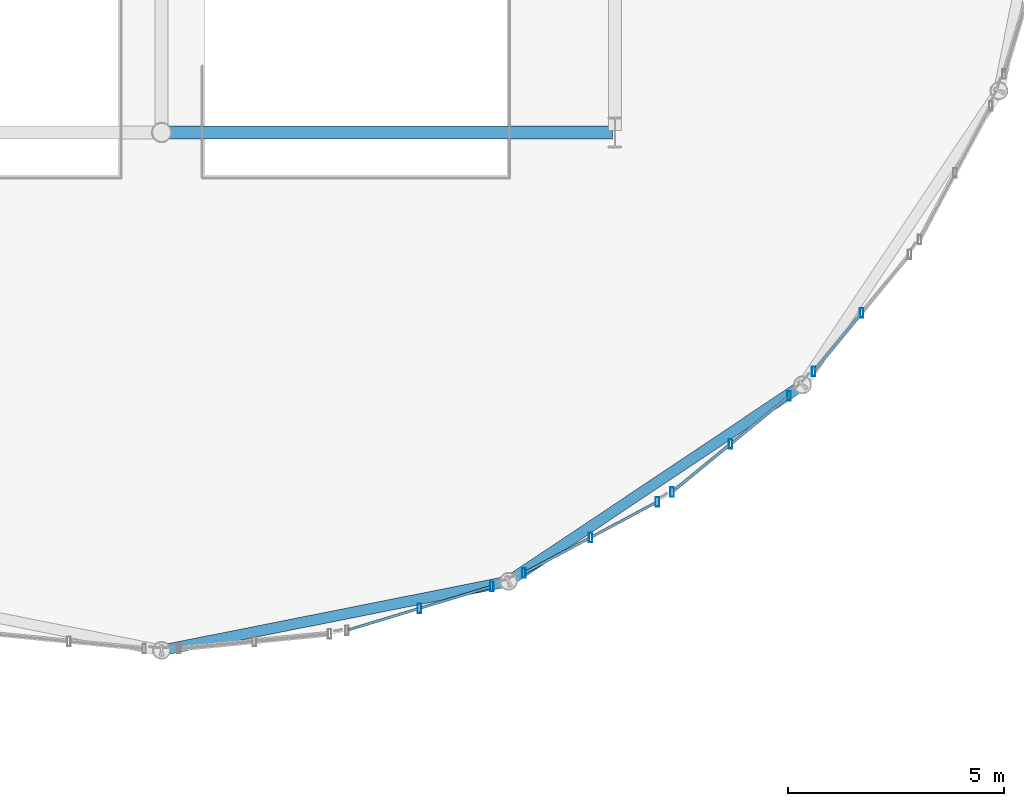
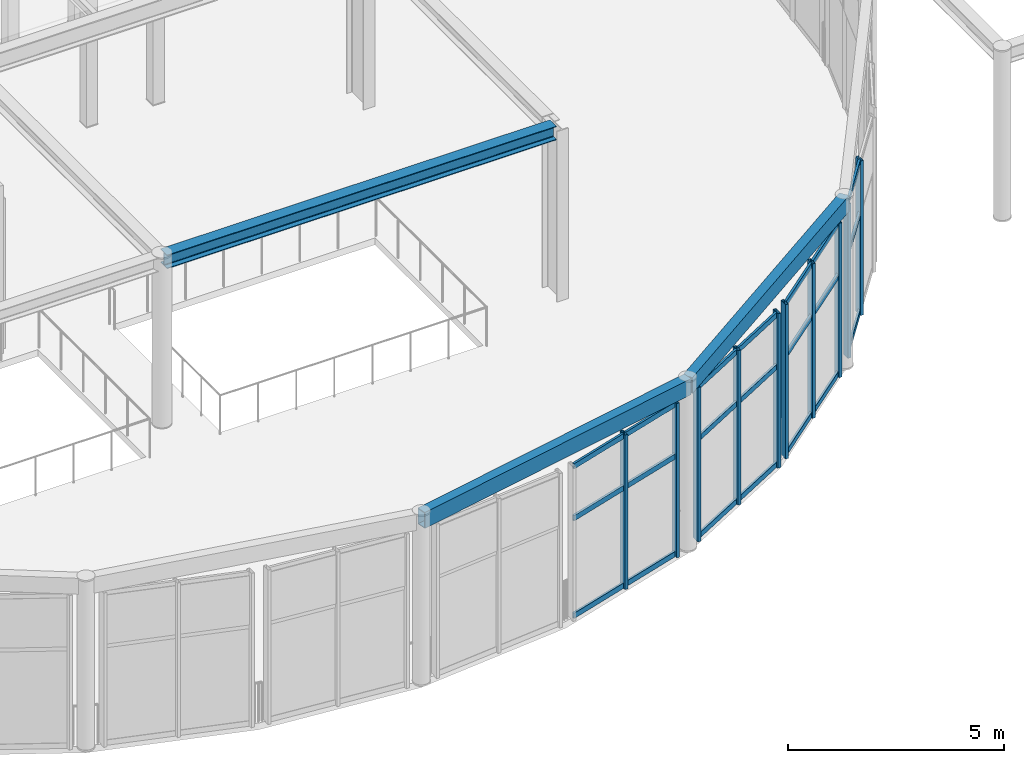
# One storey, part 31 of 143: 31 members, 3 beams, 4 elements without a shape of their own.
"""IFC4 building model written with IfcOpenShell, lengths in metres."""

from ifc_helpers import new_model, si_unit, direction, frame, origin, origin_2d, place, context, subcontext, project, spatial, hollow_rectangle, i_section, extrude, material, layer, layer_set, material_profile, profile_set, type_object, element, aggregate, save


model = new_model("IFC4")

# Units and contexts
model_context = context("Model", 3, precision=1e-05, world=origin(), true_north=direction((0.0, 1.0)))
body_context = subcontext(model_context, "Body", "Model", "MODEL_VIEW")
ifc_project = project(units=[si_unit("LENGTHUNIT", "METRE"), si_unit("AREAUNIT", "SQUARE_METRE"), si_unit("VOLUMEUNIT", "CUBIC_METRE"), si_unit("PLANEANGLEUNIT", "RADIAN"), si_unit("MASSUNIT", "GRAM", prefix="KILO")], contexts=[model_context])

# Site, building, storey
site_placement = place(None, origin())
site = spatial("IfcSite", under=ifc_project, at=site_placement, CompositionType="ELEMENT")
building_placement = place(site_placement, origin())
building = spatial("IfcBuilding", under=site, at=building_placement, Name="Marlcrest Central Station", CompositionType="ELEMENT")
storey_placement = place(building_placement, frame((0.0, 0.0, 4.800048828125)))
storey = spatial("IfcBuildingStorey", under=building, at=storey_placement, Name="L01", CompositionType="ELEMENT", Elevation=4.800048828125)

# Beam
ifc_material_1 = material(Name="Steel S355", Category="steel")
ifc_material_profile_1 = material_profile(ifc_material_1, i_section(OverallWidth=0.300048828125, OverallDepth=0.389892578125, WebThickness=0.010986328125, FlangeThickness=0.01904296875, FilletRadius=0.027099609375, at=origin_2d()), Name="HEA 400")
ifc_profile_set_1 = profile_set([ifc_material_profile_1], Name="Steel S355")
beam_type_1 = type_object("IfcBeamType", Name="BM-08", PredefinedType="BEAM", material=ifc_profile_set_1)
beam_1_placement = place(storey_placement, frame((108.050048828125, 13.5, 4.619873046875), z_axis=(1.0, 0.0, 0.0), x_axis=(0.0, 1.0, 0.0)))
element("IfcBeam", 1, at=beam_1_placement, inside=storey, type_object=beam_type_1, Name="bm-BM-08-L01-01366", PredefinedType="BEAM", context=body_context, shape_type="SweptSolid", body=[
    extrude(i_section(OverallWidth=0.300048828125, OverallDepth=0.389892578125, WebThickness=0.010986328125, FlangeThickness=0.01904296875, FilletRadius=0.027099609375, at=origin_2d()), origin(), (0.0, 0.0, 1.0), 10.39990234375),
])

# Curtain wall, members
ifc_material_2 = material(Name="Anodised aluminium and hurricane laminated glass", Category="aluminium")
ifc_layer = layer(ifc_material_2, 0.219970703125, Name="CW-U1")
ifc_layer_set = layer_set([ifc_layer], Name="Anodised aluminium and hurricane laminated glass")
curtain_wall_type = type_object("IfcCurtainWallType", Name="CW-U1", PredefinedType="USERDEFINED", material=ifc_layer_set)
curtain_wall_1_placement = place(storey_placement, origin())
curtain_wall_1 = element("IfcCurtainWall", 2, at=curtain_wall_1_placement, inside=storey, type_object=curtain_wall_type, Name="cw-L01-0018", ObjectType="UNITISED_CURTAIN_WALL", PredefinedType="USERDEFINED")
ifc_material_3 = material(Name="Anodised aluminium 6063-T6", Category="aluminium")
ifc_material_profile_2 = material_profile(ifc_material_3, hollow_rectangle(XDim=0.080078125, YDim=0.219970703125, WallThickness=0.006103515625, at=origin_2d()), Name="AA-RHS 220x80x6")
ifc_profile_set_2 = profile_set([ifc_material_profile_2], Name="Anodised aluminium 6063-T6")
member_type_1 = type_object("IfcMemberType", Name="ML-01", PredefinedType="MULLION", material=ifc_profile_set_2)
member_1_placement = place(storey_placement, frame((115.6494140625, 2.981689453125, -0.030029296875), z_axis=(0.0, 0.0, 1.0), x_axis=(1.0, 0.0, 0.0)))
member_1 = element("IfcMember", 3, at=member_1_placement, type_object=member_type_1, Name="cw-L01-0018-ml-0", PredefinedType="MULLION", context=body_context, shape_type="SweptSolid", body=[
    extrude(hollow_rectangle(XDim=0.080078125, YDim=0.219970703125, WallThickness=0.006103515625, at=origin_2d()), origin(), (0.0, 0.0, 1.0), 4.35986328125),
])
member_2_placement = place(storey_placement, frame((113.9716796875, 2.47265625, -0.030029296875), z_axis=(0.0, 0.0, 1.0), x_axis=(1.0, 0.0, 0.0)))
member_2 = element("IfcMember", 4, at=member_2_placement, type_object=member_type_1, Name="cw-L01-0018-ml-1", PredefinedType="MULLION", context=body_context, shape_type="SweptSolid", body=[
    extrude(hollow_rectangle(XDim=0.080078125, YDim=0.219970703125, WallThickness=0.006103515625, at=origin_2d()), origin(), (0.0, 0.0, 1.0), 4.35986328125),
])

curtain_wall_2_placement = place(storey_placement, origin())
curtain_wall_2 = element("IfcCurtainWall", 5, at=curtain_wall_2_placement, inside=storey, type_object=curtain_wall_type, Name="cw-L01-0019", ObjectType="UNITISED_CURTAIN_WALL", PredefinedType="USERDEFINED")
member_3_placement = place(storey_placement, frame((119.485595703125, 4.94189453125, -0.030029296875), z_axis=(0.0, 0.0, 1.0), x_axis=(1.0, 0.0, 0.0)))
member_3 = element("IfcMember", 6, at=member_3_placement, type_object=member_type_1, Name="cw-L01-0019-ml-0", PredefinedType="MULLION", context=body_context, shape_type="SweptSolid", body=[
    extrude(hollow_rectangle(XDim=0.080078125, YDim=0.219970703125, WallThickness=0.006103515625, at=origin_2d()), origin(), (0.0, 0.0, 1.0), 4.35986328125),
])
member_4_placement = place(storey_placement, frame((117.93896484375, 4.11572265625, -0.030029296875), z_axis=(0.0, 0.0, 1.0), x_axis=(1.0, 0.0, 0.0)))
member_4 = element("IfcMember", 7, at=member_4_placement, type_object=member_type_1, Name="cw-L01-0019-ml-1", PredefinedType="MULLION", context=body_context, shape_type="SweptSolid", body=[
    extrude(hollow_rectangle(XDim=0.080078125, YDim=0.219970703125, WallThickness=0.006103515625, at=origin_2d()), origin(), (0.0, 0.0, 1.0), 4.35986328125),
])
member_5_placement = place(storey_placement, frame((116.392333984375, 3.289306640625, -0.030029296875), z_axis=(0.0, 0.0, 1.0), x_axis=(1.0, 0.0, 0.0)))
member_5 = element("IfcMember", 8, at=member_5_placement, type_object=member_type_1, Name="cw-L01-0019-ml-2", PredefinedType="MULLION", context=body_context, shape_type="SweptSolid", body=[
    extrude(hollow_rectangle(XDim=0.080078125, YDim=0.219970703125, WallThickness=0.006103515625, at=origin_2d()), origin(), (0.0, 0.0, 1.0), 4.35986328125),
])

curtain_wall_3_placement = place(storey_placement, origin())
curtain_wall_3 = element("IfcCurtainWall", 9, at=curtain_wall_3_placement, inside=storey, type_object=curtain_wall_type, Name="cw-L01-0020", ObjectType="UNITISED_CURTAIN_WALL", PredefinedType="USERDEFINED")
member_6_placement = place(storey_placement, frame((122.53662109375, 7.39453125, -0.030029296875), z_axis=(0.0, 0.0, 1.0), x_axis=(1.0, 0.0, 0.0)))
member_6 = element("IfcMember", 10, at=member_6_placement, type_object=member_type_1, Name="cw-L01-0020-ml-0", PredefinedType="MULLION", context=body_context, shape_type="SweptSolid", body=[
    extrude(hollow_rectangle(XDim=0.080078125, YDim=0.219970703125, WallThickness=0.006103515625, at=origin_2d()), origin(), (0.0, 0.0, 1.0), 4.35986328125),
])
member_7_placement = place(storey_placement, frame((121.181396484375, 6.281982421875, -0.030029296875), z_axis=(0.0, 0.0, 1.0), x_axis=(1.0, 0.0, 0.0)))
member_7 = element("IfcMember", 11, at=member_7_placement, type_object=member_type_1, Name="cw-L01-0020-ml-1", PredefinedType="MULLION", context=body_context, shape_type="SweptSolid", body=[
    extrude(hollow_rectangle(XDim=0.080078125, YDim=0.219970703125, WallThickness=0.006103515625, at=origin_2d()), origin(), (0.0, 0.0, 1.0), 4.35986328125),
])
member_8_placement = place(storey_placement, frame((119.826171875, 5.169677734375, -0.030029296875), z_axis=(0.0, 0.0, 1.0), x_axis=(1.0, 0.0, 0.0)))
member_8 = element("IfcMember", 12, at=member_8_placement, type_object=member_type_1, Name="cw-L01-0020-ml-2", PredefinedType="MULLION", context=body_context, shape_type="SweptSolid", body=[
    extrude(hollow_rectangle(XDim=0.080078125, YDim=0.219970703125, WallThickness=0.006103515625, at=origin_2d()), origin(), (0.0, 0.0, 1.0), 4.35986328125),
])

curtain_wall_4_placement = place(storey_placement, origin())
curtain_wall_4 = element("IfcCurtainWall", 13, at=curtain_wall_4_placement, inside=storey, type_object=curtain_wall_type, Name="cw-L01-0021", ObjectType="UNITISED_CURTAIN_WALL", PredefinedType="USERDEFINED")
member_9_placement = place(storey_placement, frame((124.218017578125, 9.318603515625, -0.030029296875), z_axis=(0.0, 0.0, 1.0), x_axis=(1.0, 0.0, 0.0)))
member_9 = element("IfcMember", 14, at=member_9_placement, type_object=member_type_1, Name="cw-L01-0021-ml-1", PredefinedType="MULLION", context=body_context, shape_type="SweptSolid", body=[
    extrude(hollow_rectangle(XDim=0.080078125, YDim=0.219970703125, WallThickness=0.006103515625, at=origin_2d()), origin(), (0.0, 0.0, 1.0), 4.35986328125),
])
member_10_placement = place(storey_placement, frame((123.10546875, 7.96337890625, -0.030029296875), z_axis=(0.0, 0.0, 1.0), x_axis=(1.0, 0.0, 0.0)))
member_10 = element("IfcMember", 15, at=member_10_placement, type_object=member_type_1, Name="cw-L01-0021-ml-2", PredefinedType="MULLION", context=body_context, shape_type="SweptSolid", body=[
    extrude(hollow_rectangle(XDim=0.080078125, YDim=0.219970703125, WallThickness=0.006103515625, at=origin_2d()), origin(), (0.0, 0.0, 1.0), 4.35986328125),
])

# Beams
ifc_material_profile_3 = material_profile(ifc_material_1, hollow_rectangle(XDim=0.25, YDim=0.449951171875, WallThickness=0.01611328125, at=origin_2d()), Name="RHS 450x250x16")
ifc_profile_set_3 = profile_set([ifc_material_profile_3], Name="Steel S355")
beam_type_2 = type_object("IfcBeamType", Name="SP-02", PredefinedType="SPANDREL", material=ifc_profile_set_3)
beam_2_placement = place(storey_placement, frame((108.0, 1.5, 4.58984375), z_axis=(0.980769316421, 0.19517056122, 0.0), x_axis=(-0.19517056122, 0.980769316421, 0.0)))
element("IfcBeam", 16, at=beam_2_placement, inside=storey, type_object=beam_type_2, Name="bm-SP-02-L01-01361", PredefinedType="SPANDREL", context=body_context, shape_type="SweptSolid", body=[
    extrude(hollow_rectangle(XDim=0.25, YDim=0.449951171875, WallThickness=0.01611328125, at=origin_2d()), origin(), (0.0, 0.0, 1.0), 8.193359375),
])
beam_3_placement = place(storey_placement, frame((116.035888671875, 3.09912109375, 4.58984375), z_axis=(0.831508991937, 0.55551129271, 0.0), x_axis=(-0.55551129271, 0.831508991937, 0.0)))
element("IfcBeam", 17, at=beam_3_placement, inside=storey, type_object=beam_type_2, Name="bm-SP-02-L01-01362", PredefinedType="SPANDREL", context=body_context, shape_type="SweptSolid", body=[
    extrude(hollow_rectangle(XDim=0.25, YDim=0.449951171875, WallThickness=0.01611328125, at=origin_2d()), origin(), (0.0, 0.0, 1.0), 8.19384765625),
])

# Member
ifc_material_profile_4 = material_profile(ifc_material_3, hollow_rectangle(XDim=0.06005859375, YDim=0.14990234375, WallThickness=0.00390625, at=origin_2d()), Name="AA-RHS 150x60x4")
ifc_profile_set_4 = profile_set([ifc_material_profile_4], Name="Anodised aluminium 6063-T6")
member_type_2 = type_object("IfcMemberType", Name="TR-01", PredefinedType="USERDEFINED", material=ifc_profile_set_4)
member_11_placement = place(storey_placement, frame((115.613037109375, 2.970703125, 0.0400390625), z_axis=(-0.95694846695, -0.29025787087, 0.0), x_axis=(0.29025787087, -0.95694846695, 0.0)))
member_11 = element("IfcMember", 18, at=member_11_placement, type_object=member_type_2, Name="cw-L01-0018-tr-0-sill", ObjectType="TRANSOM", PredefinedType="USERDEFINED", context=body_context, shape_type="SweptSolid", body=[
    extrude(hollow_rectangle(XDim=0.06005859375, YDim=0.14990234375, WallThickness=0.00390625, at=origin_2d()), origin(), (0.0, 0.0, 1.0), 1.67724609375),
])

member_12_placement = place(storey_placement, frame((115.613037109375, 2.970703125, 2.794921875), z_axis=(-0.95694846695, -0.29025787087, 0.0), x_axis=(0.29025787087, -0.95694846695, 0.0)))
member_12 = element("IfcMember", 19, at=member_12_placement, type_object=member_type_2, Name="cw-L01-0018-tr-0-mid", ObjectType="TRANSOM", PredefinedType="USERDEFINED", context=body_context, shape_type="SweptSolid", body=[
    extrude(hollow_rectangle(XDim=0.06005859375, YDim=0.14990234375, WallThickness=0.00390625, at=origin_2d()), origin(), (0.0, 0.0, 1.0), 1.67724609375),
])

member_13_placement = place(storey_placement, frame((115.613037109375, 2.970703125, 4.260009765625), z_axis=(-0.95694846695, -0.29025787087, 0.0), x_axis=(0.29025787087, -0.95694846695, 0.0)))
member_13 = element("IfcMember", 20, at=member_13_placement, type_object=member_type_2, Name="cw-L01-0018-tr-0-head", ObjectType="TRANSOM", PredefinedType="USERDEFINED", context=body_context, shape_type="SweptSolid", body=[
    extrude(hollow_rectangle(XDim=0.06005859375, YDim=0.14990234375, WallThickness=0.00390625, at=origin_2d()), origin(), (0.0, 0.0, 1.0), 1.67724609375),
])

member_14_placement = place(storey_placement, frame((113.935302734375, 2.461669921875, 0.0400390625), z_axis=(-0.95694846695, -0.29025787087, 0.0), x_axis=(0.29025787087, -0.95694846695, 0.0)))
member_14 = element("IfcMember", 21, at=member_14_placement, type_object=member_type_2, Name="cw-L01-0018-tr-1-sill", ObjectType="TRANSOM", PredefinedType="USERDEFINED", context=body_context, shape_type="SweptSolid", body=[
    extrude(hollow_rectangle(XDim=0.06005859375, YDim=0.14990234375, WallThickness=0.00390625, at=origin_2d()), origin(), (0.0, 0.0, 1.0), 1.67724609375),
])

member_15_placement = place(storey_placement, frame((113.935302734375, 2.461669921875, 2.794921875), z_axis=(-0.95694846695, -0.29025787087, 0.0), x_axis=(0.29025787087, -0.95694846695, 0.0)))
member_15 = element("IfcMember", 22, at=member_15_placement, type_object=member_type_2, Name="cw-L01-0018-tr-1-mid", ObjectType="TRANSOM", PredefinedType="USERDEFINED", context=body_context, shape_type="SweptSolid", body=[
    extrude(hollow_rectangle(XDim=0.06005859375, YDim=0.14990234375, WallThickness=0.00390625, at=origin_2d()), origin(), (0.0, 0.0, 1.0), 1.67724609375),
])

member_16_placement = place(storey_placement, frame((113.935302734375, 2.461669921875, 4.260009765625), z_axis=(-0.95694846695, -0.29025787087, 0.0), x_axis=(0.29025787087, -0.95694846695, 0.0)))
member_16 = element("IfcMember", 23, at=member_16_placement, type_object=member_type_2, Name="cw-L01-0018-tr-1-head", ObjectType="TRANSOM", PredefinedType="USERDEFINED", context=body_context, shape_type="SweptSolid", body=[
    extrude(hollow_rectangle(XDim=0.06005859375, YDim=0.14990234375, WallThickness=0.00390625, at=origin_2d()), origin(), (0.0, 0.0, 1.0), 1.67724609375),
])

aggregate(curtain_wall_1, [member_1, member_2, member_11, member_12, member_13, member_14, member_15, member_16])

member_17_placement = place(storey_placement, frame((119.451904296875, 4.924072265625, 0.0400390625), z_axis=(-0.881990080976, -0.47126796736, 0.0), x_axis=(0.47126796736, -0.881990080976, 0.0)))
member_17 = element("IfcMember", 24, at=member_17_placement, type_object=member_type_2, Name="cw-L01-0019-tr-0-sill", ObjectType="TRANSOM", PredefinedType="USERDEFINED", context=body_context, shape_type="SweptSolid", body=[
    extrude(hollow_rectangle(XDim=0.06005859375, YDim=0.14990234375, WallThickness=0.00390625, at=origin_2d()), origin(), (0.0, 0.0, 1.0), 1.677490234375),
])

member_18_placement = place(storey_placement, frame((119.451904296875, 4.924072265625, 2.794921875), z_axis=(-0.881990080976, -0.47126796736, 0.0), x_axis=(0.47126796736, -0.881990080976, 0.0)))
member_18 = element("IfcMember", 25, at=member_18_placement, type_object=member_type_2, Name="cw-L01-0019-tr-0-mid", ObjectType="TRANSOM", PredefinedType="USERDEFINED", context=body_context, shape_type="SweptSolid", body=[
    extrude(hollow_rectangle(XDim=0.06005859375, YDim=0.14990234375, WallThickness=0.00390625, at=origin_2d()), origin(), (0.0, 0.0, 1.0), 1.677490234375),
])

member_19_placement = place(storey_placement, frame((119.451904296875, 4.924072265625, 4.260009765625), z_axis=(-0.881990080976, -0.47126796736, 0.0), x_axis=(0.47126796736, -0.881990080976, 0.0)))
member_19 = element("IfcMember", 26, at=member_19_placement, type_object=member_type_2, Name="cw-L01-0019-tr-0-head", ObjectType="TRANSOM", PredefinedType="USERDEFINED", context=body_context, shape_type="SweptSolid", body=[
    extrude(hollow_rectangle(XDim=0.06005859375, YDim=0.14990234375, WallThickness=0.00390625, at=origin_2d()), origin(), (0.0, 0.0, 1.0), 1.677490234375),
])

member_20_placement = place(storey_placement, frame((117.905517578125, 4.097900390625, 0.0400390625), z_axis=(-0.882022398889, -0.471207478568, 0.0), x_axis=(0.471207478568, -0.882022398889, 0.0)))
member_20 = element("IfcMember", 27, at=member_20_placement, type_object=member_type_2, Name="cw-L01-0019-tr-1-sill", ObjectType="TRANSOM", PredefinedType="USERDEFINED", context=body_context, shape_type="SweptSolid", body=[
    extrude(hollow_rectangle(XDim=0.06005859375, YDim=0.14990234375, WallThickness=0.00390625, at=origin_2d()), origin(), (0.0, 0.0, 1.0), 1.677734375),
])

member_21_placement = place(storey_placement, frame((117.905517578125, 4.097900390625, 2.794921875), z_axis=(-0.882022398889, -0.471207478568, 0.0), x_axis=(0.471207478568, -0.882022398889, 0.0)))
member_21 = element("IfcMember", 28, at=member_21_placement, type_object=member_type_2, Name="cw-L01-0019-tr-1-mid", ObjectType="TRANSOM", PredefinedType="USERDEFINED", context=body_context, shape_type="SweptSolid", body=[
    extrude(hollow_rectangle(XDim=0.06005859375, YDim=0.14990234375, WallThickness=0.00390625, at=origin_2d()), origin(), (0.0, 0.0, 1.0), 1.677734375),
])

member_22_placement = place(storey_placement, frame((117.905517578125, 4.097900390625, 4.260009765625), z_axis=(-0.882022398889, -0.471207478568, 0.0), x_axis=(0.471207478568, -0.882022398889, 0.0)))
member_22 = element("IfcMember", 29, at=member_22_placement, type_object=member_type_2, Name="cw-L01-0019-tr-1-head", ObjectType="TRANSOM", PredefinedType="USERDEFINED", context=body_context, shape_type="SweptSolid", body=[
    extrude(hollow_rectangle(XDim=0.06005859375, YDim=0.14990234375, WallThickness=0.00390625, at=origin_2d()), origin(), (0.0, 0.0, 1.0), 1.677734375),
])

aggregate(curtain_wall_2, [member_3, member_4, member_5, member_17, member_18, member_19, member_20, member_21, member_22])

member_23_placement = place(storey_placement, frame((122.50732421875, 7.37060546875, 0.0400390625), z_axis=(-0.772912318539, -0.634512842936, 0.0), x_axis=(0.634512842936, -0.772912318539, 0.0)))
member_23 = element("IfcMember", 30, at=member_23_placement, type_object=member_type_2, Name="cw-L01-0020-tr-0-sill", ObjectType="TRANSOM", PredefinedType="USERDEFINED", context=body_context, shape_type="SweptSolid", body=[
    extrude(hollow_rectangle(XDim=0.06005859375, YDim=0.14990234375, WallThickness=0.00390625, at=origin_2d()), origin(), (0.0, 0.0, 1.0), 1.677490234375),
])

member_24_placement = place(storey_placement, frame((122.50732421875, 7.37060546875, 2.794921875), z_axis=(-0.772912318539, -0.634512842936, 0.0), x_axis=(0.634512842936, -0.772912318539, 0.0)))
member_24 = element("IfcMember", 31, at=member_24_placement, type_object=member_type_2, Name="cw-L01-0020-tr-0-mid", ObjectType="TRANSOM", PredefinedType="USERDEFINED", context=body_context, shape_type="SweptSolid", body=[
    extrude(hollow_rectangle(XDim=0.06005859375, YDim=0.14990234375, WallThickness=0.00390625, at=origin_2d()), origin(), (0.0, 0.0, 1.0), 1.677490234375),
])

member_25_placement = place(storey_placement, frame((122.50732421875, 7.37060546875, 4.260009765625), z_axis=(-0.772912318539, -0.634512842936, 0.0), x_axis=(0.634512842936, -0.772912318539, 0.0)))
member_25 = element("IfcMember", 32, at=member_25_placement, type_object=member_type_2, Name="cw-L01-0020-tr-0-head", ObjectType="TRANSOM", PredefinedType="USERDEFINED", context=body_context, shape_type="SweptSolid", body=[
    extrude(hollow_rectangle(XDim=0.06005859375, YDim=0.14990234375, WallThickness=0.00390625, at=origin_2d()), origin(), (0.0, 0.0, 1.0), 1.677490234375),
])

member_26_placement = place(storey_placement, frame((121.152099609375, 6.258056640625, 0.0400390625), z_axis=(-0.772912318539, -0.634512842936, 0.0), x_axis=(0.634512842936, -0.772912318539, 0.0)))
member_26 = element("IfcMember", 33, at=member_26_placement, type_object=member_type_2, Name="cw-L01-0020-tr-1-sill", ObjectType="TRANSOM", PredefinedType="USERDEFINED", context=body_context, shape_type="SweptSolid", body=[
    extrude(hollow_rectangle(XDim=0.06005859375, YDim=0.14990234375, WallThickness=0.00390625, at=origin_2d()), origin(), (0.0, 0.0, 1.0), 1.677490234375),
])

member_27_placement = place(storey_placement, frame((121.152099609375, 6.258056640625, 2.794921875), z_axis=(-0.772912318539, -0.634512842936, 0.0), x_axis=(0.634512842936, -0.772912318539, 0.0)))
member_27 = element("IfcMember", 34, at=member_27_placement, type_object=member_type_2, Name="cw-L01-0020-tr-1-mid", ObjectType="TRANSOM", PredefinedType="USERDEFINED", context=body_context, shape_type="SweptSolid", body=[
    extrude(hollow_rectangle(XDim=0.06005859375, YDim=0.14990234375, WallThickness=0.00390625, at=origin_2d()), origin(), (0.0, 0.0, 1.0), 1.677490234375),
])

member_28_placement = place(storey_placement, frame((121.152099609375, 6.258056640625, 4.260009765625), z_axis=(-0.772912318539, -0.634512842936, 0.0), x_axis=(0.634512842936, -0.772912318539, 0.0)))
member_28 = element("IfcMember", 35, at=member_28_placement, type_object=member_type_2, Name="cw-L01-0020-tr-1-head", ObjectType="TRANSOM", PredefinedType="USERDEFINED", context=body_context, shape_type="SweptSolid", body=[
    extrude(hollow_rectangle(XDim=0.06005859375, YDim=0.14990234375, WallThickness=0.00390625, at=origin_2d()), origin(), (0.0, 0.0, 1.0), 1.677490234375),
])

aggregate(curtain_wall_3, [member_6, member_7, member_8, member_23, member_24, member_25, member_26, member_27, member_28])

member_29_placement = place(storey_placement, frame((124.19384765625, 9.289306640625, 0.0400390625), z_axis=(-0.634512842936, -0.772912318539, 0.0), x_axis=(0.772912318539, -0.634512842936, 0.0)))
member_29 = element("IfcMember", 36, at=member_29_placement, type_object=member_type_2, Name="cw-L01-0021-tr-1-sill", ObjectType="TRANSOM", PredefinedType="USERDEFINED", context=body_context, shape_type="SweptSolid", body=[
    extrude(hollow_rectangle(XDim=0.06005859375, YDim=0.14990234375, WallThickness=0.00390625, at=origin_2d()), origin(), (0.0, 0.0, 1.0), 1.677490234375),
])

member_30_placement = place(storey_placement, frame((124.19384765625, 9.289306640625, 2.794921875), z_axis=(-0.634512842936, -0.772912318539, 0.0), x_axis=(0.772912318539, -0.634512842936, 0.0)))
member_30 = element("IfcMember", 37, at=member_30_placement, type_object=member_type_2, Name="cw-L01-0021-tr-1-mid", ObjectType="TRANSOM", PredefinedType="USERDEFINED", context=body_context, shape_type="SweptSolid", body=[
    extrude(hollow_rectangle(XDim=0.06005859375, YDim=0.14990234375, WallThickness=0.00390625, at=origin_2d()), origin(), (0.0, 0.0, 1.0), 1.677490234375),
])

member_31_placement = place(storey_placement, frame((124.19384765625, 9.289306640625, 4.260009765625), z_axis=(-0.634512842936, -0.772912318539, 0.0), x_axis=(0.772912318539, -0.634512842936, 0.0)))
member_31 = element("IfcMember", 38, at=member_31_placement, type_object=member_type_2, Name="cw-L01-0021-tr-1-head", ObjectType="TRANSOM", PredefinedType="USERDEFINED", context=body_context, shape_type="SweptSolid", body=[
    extrude(hollow_rectangle(XDim=0.06005859375, YDim=0.14990234375, WallThickness=0.00390625, at=origin_2d()), origin(), (0.0, 0.0, 1.0), 1.677490234375),
])

aggregate(curtain_wall_4, [member_9, member_10, member_29, member_30, member_31])

save(model, "model.ifc")
